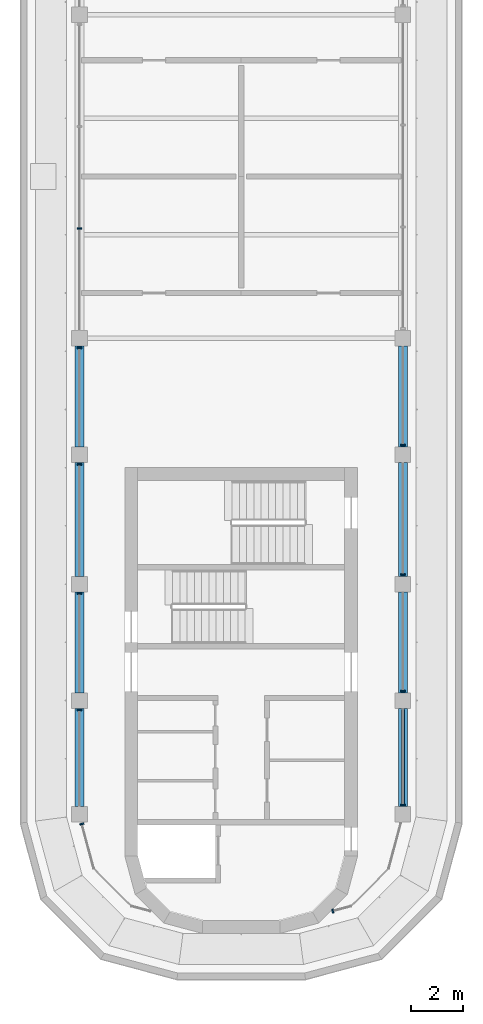
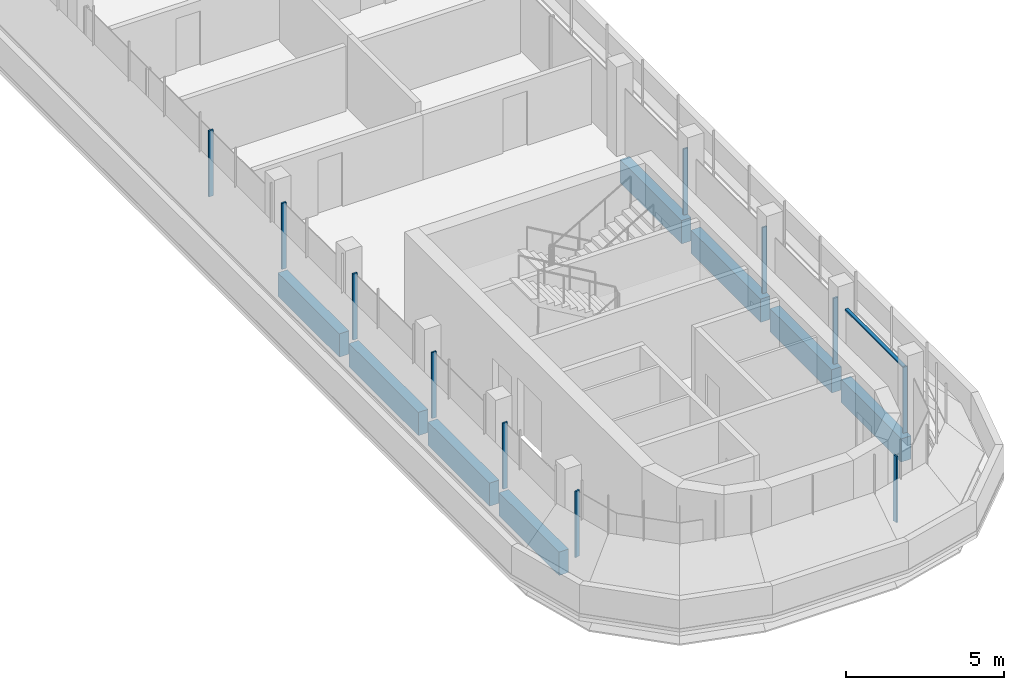
# One storey, part 2 of 12: 12 members, 8 beams, 4 elements without a shape of their own.
"""IFC4 building model written with IfcOpenShell, lengths in metres."""

from ifc_helpers import new_model, si_unit, direction, frame, origin, origin_2d, place, context, subcontext, project, spatial, polyline, rectangle, outline, extrude, source, transform, mapped, material, material_profile, profile_set, type_object, element, aggregate, save


model = new_model("IFC4")

# Units and contexts
model_context = context("Model", 3, precision=1e-05, world=origin(), true_north=direction((0.0, 1.0)))
body_context = subcontext(model_context, "Body", "Model", "MODEL_VIEW")
ifc_project = project(units=[si_unit("LENGTHUNIT", "METRE"), si_unit("AREAUNIT", "SQUARE_METRE"), si_unit("VOLUMEUNIT", "CUBIC_METRE"), si_unit("PLANEANGLEUNIT", "RADIAN"), si_unit("MASSUNIT", "GRAM", prefix="KILO")], contexts=[model_context])

# Site, building, storey
site_placement = place(None, origin())
site = spatial("IfcSite", under=ifc_project, at=site_placement, CompositionType="ELEMENT")
building_placement = place(site_placement, origin())
building = spatial("IfcBuilding", under=site, at=building_placement, Name="Zarbagh Exchange Tower", CompositionType="ELEMENT")
storey_placement = place(building_placement, frame((0.0, 0.0, 309.60009765625)))
storey = spatial("IfcBuildingStorey", under=building, at=storey_placement, Name="L76", CompositionType="ELEMENT", Elevation=309.60009765625)

# Beams
ifc_material_1 = material(Name="Concrete C40/50", Category="concrete")
ifc_material_profile = material_profile(ifc_material_1, rectangle(XDim=0.35009765625, YDim=0.89990234375, at=origin_2d()), Name="RC spandrel beam 350 x 900 C40/50")
ifc_profile_set = profile_set([ifc_material_profile], Name="Concrete C40/50")
beam_type = type_object("IfcBeamType", Name="RC spandrel beam 350 x 900 C40/50", PredefinedType="SPANDREL", material=ifc_profile_set)
beam_1_placement = place(storey_placement, frame((-6.25, -24.35009765625, -0.60009765625), z_axis=(0.0, 1.0, 0.0), x_axis=(-1.0, 0.0, 0.0)))
element("IfcBeam", 1, at=beam_1_placement, inside=storey, type_object=beam_type, Name="RC spandrel beam", PredefinedType="SPANDREL", context=body_context, shape_type="SweptSolid", body=[
    extrude(rectangle(XDim=0.35009765625, YDim=0.89990234375, at=origin_2d()), origin(), (0.0, 0.0, 1.0), 3.800048828125),
])
beam_2_placement = place(storey_placement, frame((-6.25, -19.949951171875, -0.60009765625), z_axis=(0.0, 1.0, 0.0), x_axis=(-1.0, 0.0, 0.0)))
element("IfcBeam", 2, at=beam_2_placement, inside=storey, type_object=beam_type, Name="RC spandrel beam", PredefinedType="SPANDREL", context=body_context, shape_type="SweptSolid", body=[
    extrude(rectangle(XDim=0.35009765625, YDim=0.89990234375, at=origin_2d()), origin(), (0.0, 0.0, 1.0), 3.89990234375),
])
beam_3_placement = place(storey_placement, frame((-6.25, -15.449951171875, -0.60009765625), z_axis=(0.0, 1.0, 0.0), x_axis=(-1.0, 0.0, 0.0)))
element("IfcBeam", 3, at=beam_3_placement, inside=storey, type_object=beam_type, Name="RC spandrel beam", PredefinedType="SPANDREL", context=body_context, shape_type="SweptSolid", body=[
    extrude(rectangle(XDim=0.35009765625, YDim=0.89990234375, at=origin_2d()), origin(), (0.0, 0.0, 1.0), 4.39990234375),
])
for number, where, z_axis, x_axis, name in (
    (4, (-6.25, -10.449951171875, -0.60009765625), (0.0, 1.0, 0.0), (-1.0, 0.0, 0.0), "RC spandrel beam"),
    (5, (6.25, -6.550048828125, -0.60009765625), (0.0, -1.0, 0.0), (1.0, 0.0, 0.0), "RC spandrel beam"),
):
    element("IfcBeam", number, at=place(storey_placement, frame(where, z_axis=z_axis, x_axis=x_axis)), inside=storey, type_object=beam_type, Name=name, PredefinedType="SPANDREL", context=body_context, shape_type="SweptSolid", body=[
        extrude(rectangle(XDim=0.35009765625, YDim=0.89990234375, at=origin_2d()), origin(), (0.0, 0.0, 1.0), 3.89990234375),
    ])
beam_4_placement = place(storey_placement, frame((6.25, -11.050048828125, -0.60009765625), z_axis=(0.0, -1.0, 0.0), x_axis=(1.0, 0.0, 0.0)))
element("IfcBeam", 6, at=beam_4_placement, inside=storey, type_object=beam_type, Name="RC spandrel beam", PredefinedType="SPANDREL", context=body_context, shape_type="SweptSolid", body=[
    extrude(rectangle(XDim=0.35009765625, YDim=0.89990234375, at=origin_2d()), origin(), (0.0, 0.0, 1.0), 4.39990234375),
])
beam_5_placement = place(storey_placement, frame((6.25, -16.050048828125, -0.60009765625), z_axis=(0.0, -1.0, 0.0), x_axis=(1.0, 0.0, 0.0)))
element("IfcBeam", 7, at=beam_5_placement, inside=storey, type_object=beam_type, Name="RC spandrel beam", PredefinedType="SPANDREL", context=body_context, shape_type="SweptSolid", body=[
    extrude(rectangle(XDim=0.35009765625, YDim=0.89990234375, at=origin_2d()), origin(), (0.0, 0.0, 1.0), 3.89990234375),
])
beam_6_placement = place(storey_placement, frame((6.25, -20.550048828125, -0.60009765625), z_axis=(0.0, -1.0, 0.0), x_axis=(1.0, 0.0, 0.0)))
element("IfcBeam", 8, at=beam_6_placement, inside=storey, type_object=beam_type, Name="RC spandrel beam", PredefinedType="SPANDREL", context=body_context, shape_type="SweptSolid", body=[
    extrude(rectangle(XDim=0.35009765625, YDim=0.89990234375, at=origin_2d()), origin(), (0.0, 0.0, 1.0), 3.800048828125),
])

# Curtain wall, member
ifc_material_2 = material(Name="Anodised aluminium frame and glazing", Category="aluminium")
curtain_wall_type = type_object("IfcCurtainWallType", Name="CWF Crown tier glazing", PredefinedType="NOTDEFINED", material=ifc_material_2)
curtain_wall_1_placement = place(storey_placement, origin())
curtain_wall_1 = element("IfcCurtainWall", 9, at=curtain_wall_1_placement, inside=storey, type_object=curtain_wall_type, Name="CWF49 curtain wall", PredefinedType="NOTDEFINED")
ifc_material_3 = material(Name="Anodised aluminium frame", Category="aluminium")
member_type_1 = type_object("IfcMemberType", Name="TRF Transom, anodised aluminium frame", PredefinedType="USERDEFINED", material=ifc_material_3)
shared_shape_1 = source(origin(), body_context, "Body", "SweptSolid", [
    extrude(outline(polyline([(-0.06005859375, -0.06005859375), (0.0, -0.06005859375), (0.0, 0.06005859375), (-0.06005859375, 0.06005859375), (-0.06005859375, -0.06005859375)])), origin(), (0.0, 0.0, 1.0), 3.659912109375),
])
placement = place(storey_placement, origin())
member_1 = element("IfcMember", 10, at=placement, type_object=member_type_1, Name="CWF49 transom 1.1", ObjectType="TRANSOM", PredefinedType="USERDEFINED", context=body_context, shape_type="MappedRepresentation", body=[
    mapped(shared_shape_1, transform((6.25, -24.25, 2.5498046875), x_axis=(0.0, 0.0, 1.0), y_axis=(1.0, 0.0, 0.0), z_axis=(0.0, 1.0, 0.0))),
])

curtain_wall_2_placement = place(storey_placement, origin())
curtain_wall_2 = element("IfcCurtainWall", 11, at=curtain_wall_2_placement, inside=storey, type_object=curtain_wall_type, Name="CWF01 curtain wall", PredefinedType="NOTDEFINED")
member_type_2 = type_object("IfcMemberType", Name="MUF Mullion, anodised aluminium frame", PredefinedType="MULLION", material=ifc_material_3)
shared_shape_2 = source(origin(), body_context, "Body", "SweptSolid", [
    extrude(outline(polyline([(0.0, -0.080078125), (0.06005859375, -0.080078125), (0.06005859375, 0.080078125), (0.0, 0.080078125), (0.0, -0.080078125)])), origin(), (0.0, 0.0, 1.0), 2.550048828125),
])
member_2 = element("IfcMember", 12, at=placement, type_object=member_type_2, Name="CWF01 mullion 1.1", PredefinedType="MULLION", context=body_context, shape_type="MappedRepresentation", body=[
    mapped(shared_shape_2, transform((3.510009765625, -28.394775390625, 0.0), x_axis=(0.965924289636, 0.258824779902, 0.0), y_axis=(-0.258824779902, 0.965924289636, 0.0), z_axis=(0.0, 0.0, 1.0))),
])
aggregate(curtain_wall_2, [member_2])

# Member
member_3 = element("IfcMember", 13, at=placement, type_object=member_type_2, Name="CWF49 mullion 1.1", PredefinedType="MULLION", context=body_context, shape_type="MappedRepresentation", body=[
    mapped(shared_shape_2, transform((6.25, -24.31005859375, 0.0), x_axis=(0.0, 1.0, 0.0), y_axis=(-1.0, 0.0, 0.0), z_axis=(0.0, 0.0, 1.0))),
])

member_4 = element("IfcMember", 14, at=placement, type_object=member_type_2, Name="CWF49 mullion 2.1", PredefinedType="MULLION", context=body_context, shape_type="MappedRepresentation", body=[
    mapped(shared_shape_2, transform((6.25, -19.909912109375, 0.0), x_axis=(0.0, 1.0, 0.0), y_axis=(-1.0, 0.0, 0.0), z_axis=(0.0, 0.0, 1.0))),
])

member_5 = element("IfcMember", 15, at=placement, type_object=member_type_2, Name="CWF49 mullion 3.1", PredefinedType="MULLION", context=body_context, shape_type="MappedRepresentation", body=[
    mapped(shared_shape_2, transform((6.25, -15.409912109375, 0.0), x_axis=(0.0, 1.0, 0.0), y_axis=(-1.0, 0.0, 0.0), z_axis=(0.0, 0.0, 1.0))),
])

member_6 = element("IfcMember", 16, at=placement, type_object=member_type_2, Name="CWF49 mullion 4.1", PredefinedType="MULLION", context=body_context, shape_type="MappedRepresentation", body=[
    mapped(shared_shape_2, transform((6.25, -10.409912109375, 0.0), x_axis=(0.0, 1.0, 0.0), y_axis=(-1.0, 0.0, 0.0), z_axis=(0.0, 0.0, 1.0))),
])

aggregate(curtain_wall_1, [member_3, member_1, member_4, member_5, member_6])

# Curtain wall, members
curtain_wall_3_placement = place(storey_placement, origin())
curtain_wall_3 = element("IfcCurtainWall", 17, at=curtain_wall_3_placement, inside=storey, type_object=curtain_wall_type, Name="CWF50 curtain wall", PredefinedType="NOTDEFINED")
member_7 = element("IfcMember", 18, at=placement, type_object=member_type_2, Name="CWF50 mullion 5.3", PredefinedType="MULLION", context=body_context, shape_type="MappedRepresentation", body=[
    mapped(shared_shape_2, transform((-6.25, -1.969970703125, 0.0), x_axis=(0.0, -1.0, 0.0), y_axis=(1.0, 0.0, 0.0), z_axis=(0.0, 0.0, 1.0))),
])
member_8 = element("IfcMember", 19, at=placement, type_object=member_type_2, Name="CWF50 mullion 6.1", PredefinedType="MULLION", context=body_context, shape_type="MappedRepresentation", body=[
    mapped(shared_shape_2, transform((-6.25, -6.590087890625, 0.0), x_axis=(0.0, -1.0, 0.0), y_axis=(1.0, 0.0, 0.0), z_axis=(0.0, 0.0, 1.0))),
])
member_9 = element("IfcMember", 20, at=placement, type_object=member_type_2, Name="CWF50 mullion 7.1", PredefinedType="MULLION", context=body_context, shape_type="MappedRepresentation", body=[
    mapped(shared_shape_2, transform((-6.25, -11.090087890625, 0.0), x_axis=(0.0, -1.0, 0.0), y_axis=(1.0, 0.0, 0.0), z_axis=(0.0, 0.0, 1.0))),
])
member_10 = element("IfcMember", 21, at=placement, type_object=member_type_2, Name="CWF50 mullion 8.1", PredefinedType="MULLION", context=body_context, shape_type="MappedRepresentation", body=[
    mapped(shared_shape_2, transform((-6.25, -16.090087890625, 0.0), x_axis=(0.0, -1.0, 0.0), y_axis=(1.0, 0.0, 0.0), z_axis=(0.0, 0.0, 1.0))),
])
member_11 = element("IfcMember", 22, at=placement, type_object=member_type_2, Name="CWF50 mullion 9.1", PredefinedType="MULLION", context=body_context, shape_type="MappedRepresentation", body=[
    mapped(shared_shape_2, transform((-6.25, -20.590087890625, 0.0), x_axis=(0.0, -1.0, 0.0), y_axis=(1.0, 0.0, 0.0), z_axis=(0.0, 0.0, 1.0))),
])
aggregate(curtain_wall_3, [member_7, member_8, member_9, member_10, member_11])

# Curtain wall, member
curtain_wall_4_placement = place(storey_placement, origin())
curtain_wall_4 = element("IfcCurtainWall", 23, at=curtain_wall_4_placement, inside=storey, type_object=curtain_wall_type, Name="CWF44 curtain wall", PredefinedType="NOTDEFINED")
member_12 = element("IfcMember", 24, at=placement, type_object=member_type_2, Name="CWF44 mullion 1.1", PredefinedType="MULLION", context=body_context, shape_type="MappedRepresentation", body=[
    mapped(shared_shape_2, transform((-6.16796875, -24.989990234375, 0.0), x_axis=(0.258824779902, -0.965924289636, 0.0), y_axis=(0.965924289636, 0.258824779902, 0.0), z_axis=(0.0, 0.0, 1.0))),
])
aggregate(curtain_wall_4, [member_12])

save(model, "model.ifc")
